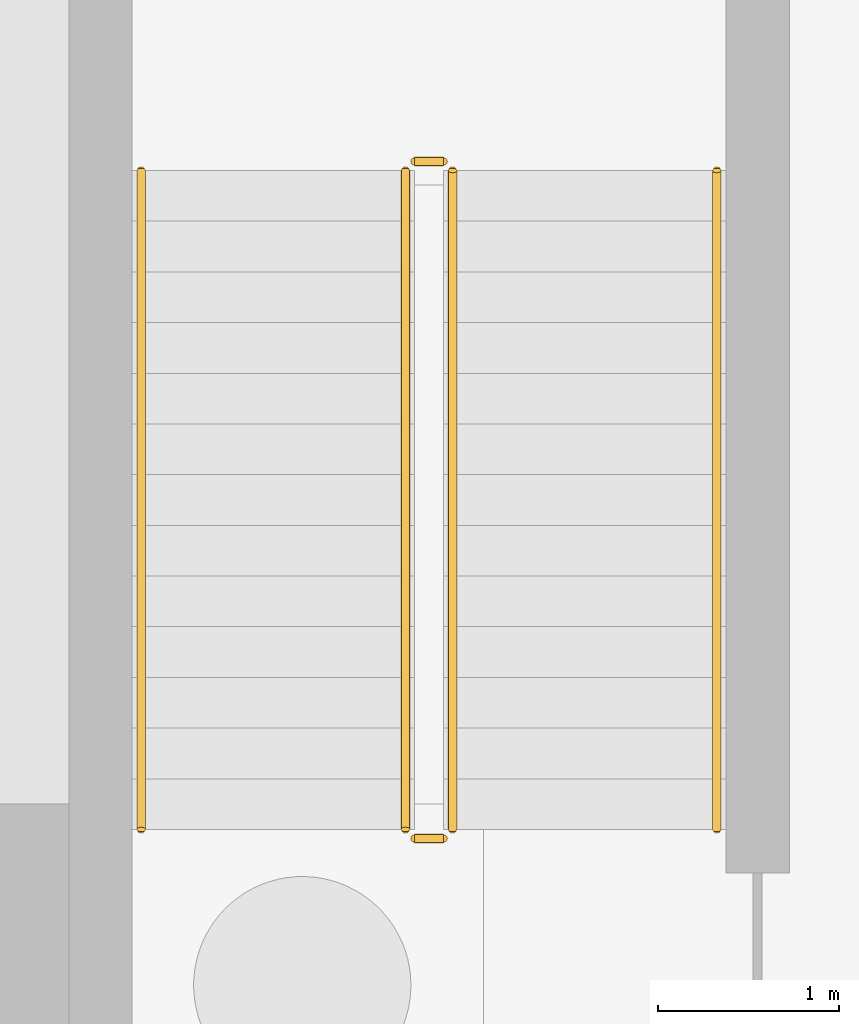
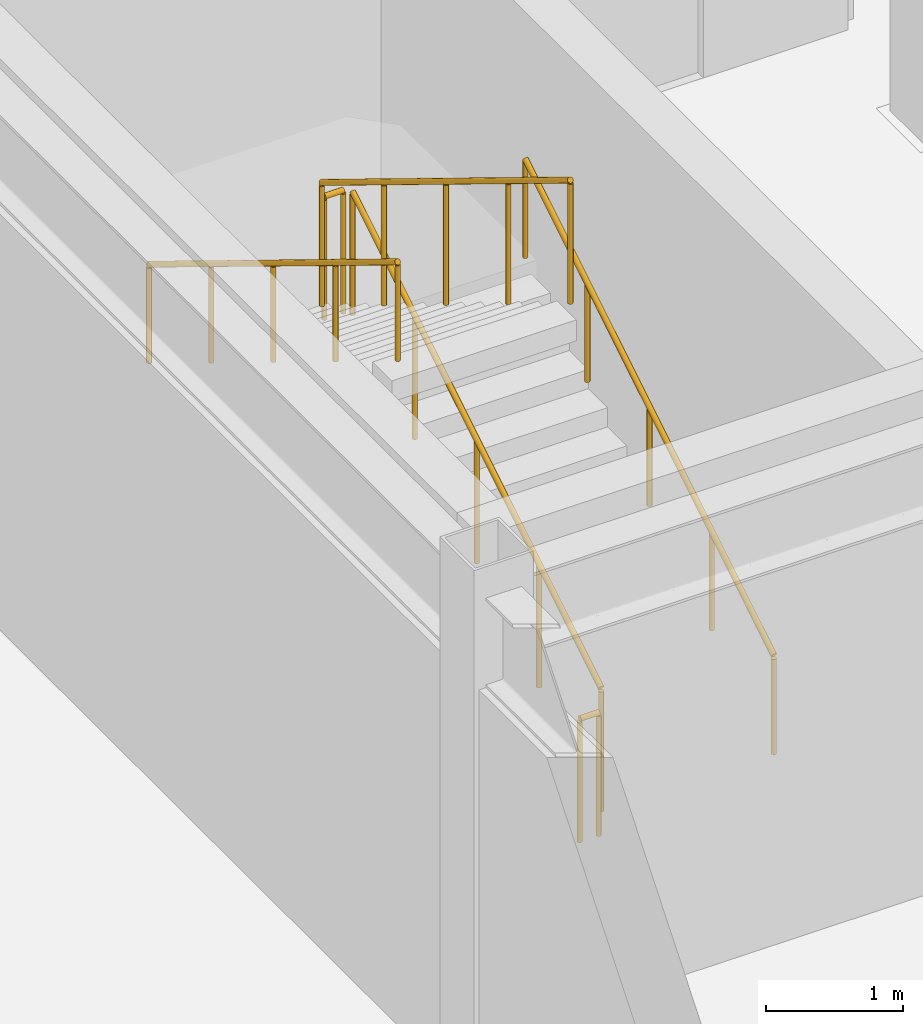
# One storey, part 69 of 74: 6 railings.
"""IFC4 building model written with IfcOpenShell, lengths in metres."""

import ifcopenshell
import ifcopenshell.guid

model = None  # the IFC model being written
_history = None  # IfcOwnerHistory: only IFC2X3 demands one
_inside = {}  # id of a spatial element -> (the spatial element, [elements in it])
_under = {}  # id of a project, library or spatial element -> (it, [spatial elements below it])
_declared = {}  # id of a project -> (the project, [libraries it declares])
_typed = {}  # id of a type object -> (the type object, [elements of that type])
_made_of = {}  # id of a material, layer set ... -> (it, [elements and type objects made of it])


def new_model(schema):
    """Start an empty IFC model of exactly this schema.

    Asked for "IFC4X3", IfcOpenShell would pick the latest addendum, in which some entities
    have other attributes; the version numbers below select the first issue.
    IFC2X3 requires an IfcOwnerHistory on every rooted entity: one is made here for all.
    """
    global model, _history
    if schema == "IFC4X3":
        model = ifcopenshell.file(schema_version=(4, 3, 0, 0))
    else:
        model = ifcopenshell.file(schema=schema)
    _inside.clear()
    _under.clear()
    _declared.clear()
    _typed.clear()
    _made_of.clear()
    _history = None
    if model.schema == "IFC2X3":
        org = make("IfcOrganization", Name="unknown")
        user = make(
            "IfcPersonAndOrganization",
            ThePerson=make("IfcPerson", FamilyName="unknown"),
            TheOrganization=org,
        )
        app = make(
            "IfcApplication",
            ApplicationDeveloper=org,
            Version="unknown",
            ApplicationFullName="unknown",
            ApplicationIdentifier="unknown",
        )
        _history = make(
            "IfcOwnerHistory",
            OwningUser=user,
            OwningApplication=app,
            ChangeAction="ADDED",
            CreationDate=0,
        )
    return model


def make(cls, **values):
    """One entity of the class cls with the attributes given. An attribute that is None is left unset."""
    return model.create_entity(
        cls, **{name: value for name, value in values.items() if value is not None}
    )


def rooted(cls, **values):
    """An entity with a GlobalId (a new one), such as an element, a storey or a relation."""
    return make(cls, GlobalId=ifcopenshell.guid.new(), OwnerHistory=_history, **values)


def si_unit(unit_type, name, prefix=None):
    """IfcSIUnit, for example si_unit("LENGTHUNIT", "METRE", prefix="MILLI")."""
    return make("IfcSIUnit", UnitType=unit_type, Prefix=prefix, Name=name)


def assignment(units):
    """IfcUnitAssignment: the units of a project."""
    return None if units is None else make("IfcUnitAssignment", Units=units)


def point(xyz):
    """IfcCartesianPoint."""
    return None if xyz is None else make("IfcCartesianPoint", Coordinates=xyz)


def direction(xyz):
    """IfcDirection."""
    return None if xyz is None else make("IfcDirection", DirectionRatios=xyz)


def frame(location, z_axis=None, x_axis=None):
    """IfcAxis2Placement3D, a coordinate frame: its origin and axes. An axis left out is left unset."""
    return make(
        "IfcAxis2Placement3D",
        Location=point(location),
        Axis=direction(z_axis),
        RefDirection=direction(x_axis),
    )


def frame_2d(location, x_axis=None):
    """IfcAxis2Placement2D, a coordinate frame in the plane: its origin and x axis."""
    return make(
        "IfcAxis2Placement2D", Location=point(location), RefDirection=direction(x_axis)
    )


def origin():
    """The frame at (0, 0, 0) with its axes left unset."""
    return frame((0.0, 0.0, 0.0))


def origin_2d():
    """The frame at (0, 0) in the plane with its x axis left unset."""
    return frame_2d((0.0, 0.0))


def place(relative_to, where):
    """IfcLocalPlacement: puts the frame where relative to a parent placement (None: the world)."""
    return make(
        "IfcLocalPlacement", PlacementRelTo=relative_to, RelativePlacement=where
    )


def context(
    kind, dimensions, precision=None, world=None, true_north=None, identifier=None
):
    """IfcGeometricRepresentationContext, for example the 3D "Model" context."""
    return make(
        "IfcGeometricRepresentationContext",
        ContextIdentifier=identifier,
        ContextType=kind,
        CoordinateSpaceDimension=dimensions,
        Precision=precision,
        WorldCoordinateSystem=world,
        TrueNorth=true_north,
    )


def subcontext(parent, identifier, kind, view, scale=None):
    """IfcGeometricRepresentationSubContext, for example "Body" below "Model"."""
    return make(
        "IfcGeometricRepresentationSubContext",
        ContextIdentifier=identifier,
        ContextType=kind,
        ParentContext=parent,
        TargetScale=scale,
        TargetView=view,
    )


def project(units=None, contexts=None):
    """IfcProject with its units and contexts."""
    return rooted(
        "IfcProject",
        Name="project",
        RepresentationContexts=contexts,
        UnitsInContext=assignment(units),
    )


def spatial(cls, under=None, at=None, **own):
    """A site, building, storey or space (cls), placed at a placement, below another one or the project."""
    s = rooted(cls, ObjectPlacement=at, **own)
    if under is not None:
        _under.setdefault(under.id(), (under, []))[1].append(s)
    return s


def profile(cls, at=None, kind="AREA", **sizes):
    """A parametric profile (cls). Its sizes go by their IFC names, for example OverallWidth=200.0."""
    return make(cls, ProfileType=kind, Position=at, **sizes)


def circle(**sizes):
    """IfcCircleProfileDef."""
    return profile("IfcCircleProfileDef", **sizes)


def extrude(swept, where, along, depth):
    """IfcExtrudedAreaSolid: the profile swept, set in the frame where, extruded along a direction by depth."""
    return make(
        "IfcExtrudedAreaSolid",
        SweptArea=swept,
        Position=where,
        ExtrudedDirection=direction(along),
        Depth=depth,
    )


def shape(context_of_items, identifier, shape_type, items):
    """IfcShapeRepresentation: the items that make up one representation, for example the "Body"."""
    return make(
        "IfcShapeRepresentation",
        ContextOfItems=context_of_items,
        RepresentationIdentifier=identifier,
        RepresentationType=shape_type,
        Items=items,
    )


def material(Name=None, Category=None):
    """IfcMaterial."""
    return make("IfcMaterial", Name=Name, Category=Category)


def made_of(thing, what):
    """Note that an element or type object is made of a material, layer set ...; save() writes the relation."""
    if what is not None:
        _made_of.setdefault(what.id(), (what, []))[1].append(thing)
    return thing


def type_object(cls, material=None, **own):
    """A type object (cls), such as IfcWallType, which elements share."""
    return made_of(rooted(cls, **own), material)


def element(
    cls,
    number,
    at=None,
    inside=None,
    cuts=None,
    type_object=None,
    material=None,
    context=None,
    identifier="Body",
    shape_type=None,
    held_by="IfcProductDefinitionShape",
    body=None,
    shapes=None,
    **own,
):
    """One element of the class cls, such as IfcWall. Its Tag is "e" and its number.

    at: its placement. inside: the storey or other place that contains it. cuts: it is an
    opening in that element (IfcRelVoidsElement). A single representation is given by context,
    identifier, shape_type and body (its items); several are given by shapes. held_by: the class
    of the entity that holds the representations. save() writes the other relations.
    """
    e = rooted(cls, Tag="e%d" % number, ObjectPlacement=at, **own)
    if body is not None:
        shapes = [shape(context, identifier, shape_type, body)]
    if shapes is not None:
        e.Representation = make(held_by, Representations=shapes)
    if inside is not None:
        _inside.setdefault(inside.id(), (inside, []))[1].append(e)
    if cuts is not None:
        rooted(
            "IfcRelVoidsElement", RelatingBuildingElement=cuts, RelatedOpeningElement=e
        )
    if type_object is not None:
        _typed.setdefault(type_object.id(), (type_object, []))[1].append(e)
    return made_of(e, material)


def aggregate(whole, parts):
    """IfcRelAggregates: a whole, such as a stair, and the parts it consists of."""
    return rooted("IfcRelAggregates", RelatingObject=whole, RelatedObjects=parts)


def save(model, path):
    """Write the relations noted so far, then the file.

    IfcRelAggregates (storeys below a building ...), IfcRelContainedInSpatialStructure (elements
    in a storey), IfcRelDefinesByType, IfcRelAssociatesMaterial and IfcRelDeclares: one each for
    every whole, place, type object, material and project.
    """
    for whole, parts in _under.values():
        aggregate(whole, parts)
    for where, things in _inside.values():
        rooted(
            "IfcRelContainedInSpatialStructure",
            RelatedElements=things,
            RelatingStructure=where,
        )
    for kind, things in _typed.values():
        rooted("IfcRelDefinesByType", RelatedObjects=things, RelatingType=kind)
    for what, things in _made_of.values():
        rooted("IfcRelAssociatesMaterial", RelatedObjects=things, RelatingMaterial=what)
    for by, libraries in _declared.values():
        rooted("IfcRelDeclares", RelatingContext=by, RelatedDefinitions=libraries)
    model.write(path)


model = new_model("IFC4")

# Units and contexts
model_context = context("Model", 3, precision=1e-05, world=origin(), true_north=direction((0.0, 1.0)))
body_context = subcontext(model_context, "Body", "Model", "MODEL_VIEW")
ifc_project = project(units=[si_unit("LENGTHUNIT", "METRE"), si_unit("AREAUNIT", "SQUARE_METRE"), si_unit("VOLUMEUNIT", "CUBIC_METRE"), si_unit("PLANEANGLEUNIT", "RADIAN"), si_unit("MASSUNIT", "GRAM", prefix="KILO")], contexts=[model_context])

# Site, building, storey
site_placement = place(None, origin())
site = spatial("IfcSite", under=ifc_project, at=site_placement, CompositionType="ELEMENT")
building_placement = place(site_placement, origin())
building = spatial("IfcBuilding", under=site, at=building_placement, Name="Suzunagisa Mobility Hub", CompositionType="ELEMENT")
storey_placement = place(building_placement, frame((0.0, 0.0, -4.800048828125)))
storey = spatial("IfcBuildingStorey", under=building, at=storey_placement, Name="B1", CompositionType="ELEMENT", Elevation=-4.800048828125)

# Railings
ifc_material = material(Name="Stainless Steel SUS304", Category="metal")
railing_type_1 = type_object("IfcRailingType", Name="Interior Well Guardrail IGR-01", PredefinedType="GUARDRAIL", material=ifc_material)
railing_1_placement = place(storey_placement, frame((146.330078125, 55.360107421875, 0.17138671875)))
element("IfcRailing", 1, at=railing_1_placement, inside=storey, type_object=railing_type_1, Name="B1 ST-11 stair guard 1", PredefinedType="GUARDRAIL", context=body_context, shape_type="SweptSolid", body=[
    extrude(circle(Radius=0.02392578125, at=origin_2d()), frame((0.0, 0.0, 1.09619140625), z_axis=(0.0, 0.852824790078, 0.522197163366), x_axis=(-1.0, 0.0, 0.0)), (0.0, 0.0, 1.0), 4.26806640625),
    extrude(circle(Radius=0.02099609375, at=origin_2d()), origin(), (0.0, 0.0, 1.0), 1.072021484375),
    extrude(circle(Radius=0.02099609375, at=origin_2d()), frame((0.0, 0.909912109375, 0.55712890625)), (0.0, 0.0, 1.0), 1.072021484375),
    extrude(circle(Radius=0.02099609375, at=origin_2d()), frame((0.0, 1.81982421875, 1.1142578125)), (0.0, 0.0, 1.0), 1.072021484375),
    extrude(circle(Radius=0.02099609375, at=origin_2d()), frame((0.0, 2.72998046875, 1.671630859375)), (0.0, 0.0, 1.0), 1.072021484375),
    extrude(circle(Radius=0.02099609375, at=origin_2d()), frame((0.0, 3.639892578125, 2.228759765625)), (0.0, 0.0, 1.0), 1.072021484375),
])
railing_2_placement = place(storey_placement, frame((146.280029296875, 59.050048828125, 2.400146484375)))
element("IfcRailing", 2, at=railing_2_placement, inside=storey, type_object=railing_type_1, Name="B1 ST-11 stair guard 2", PredefinedType="GUARDRAIL", context=body_context, shape_type="SweptSolid", body=[
    extrude(circle(Radius=0.02392578125, at=origin_2d()), frame((0.0, 0.0, 1.09619140625), z_axis=(-1.0, 0.0, 0.0), x_axis=(0.0, -1.0, 0.0)), (0.0, 0.0, 1.0), 0.159912109375),
    extrude(circle(Radius=0.02099609375, at=origin_2d()), origin(), (0.0, 0.0, 1.0), 1.072021484375),
    extrude(circle(Radius=0.02099609375, at=origin_2d()), frame((-0.159912109375, 0.0, 0.0)), (0.0, 0.0, 1.0), 1.072021484375),
])
railing_3_placement = place(storey_placement, frame((146.070068359375, 59.0, 2.571533203125)))
element("IfcRailing", 3, at=railing_3_placement, inside=storey, type_object=railing_type_1, Name="B1 ST-11 stair guard 3", PredefinedType="GUARDRAIL", context=body_context, shape_type="SweptSolid", body=[
    extrude(circle(Radius=0.02392578125, at=origin_2d()), frame((0.0, 0.0, 1.09619140625), z_axis=(0.0, -0.852850264322, 0.5221555579), x_axis=(1.0, 0.0, 0.0)), (0.0, 0.0, 1.0), 4.267822265625),
    extrude(circle(Radius=0.02099609375, at=origin_2d()), origin(), (0.0, 0.0, 1.0), 1.072021484375),
    extrude(circle(Radius=0.02099609375, at=origin_2d()), frame((0.0, -0.909912109375, 0.55712890625)), (0.0, 0.0, 1.0), 1.072021484375),
    extrude(circle(Radius=0.02099609375, at=origin_2d()), frame((0.0, -1.81982421875, 1.1142578125)), (0.0, 0.0, 1.0), 1.072021484375),
    extrude(circle(Radius=0.02099609375, at=origin_2d()), frame((0.0, -2.72998046875, 1.67138671875)), (0.0, 0.0, 1.0), 1.072021484375),
    extrude(circle(Radius=0.02099609375, at=origin_2d()), frame((0.0, -3.639892578125, 2.228515625)), (0.0, 0.0, 1.0), 1.072021484375),
])
railing_4_placement = place(storey_placement, frame((146.280029296875, 55.31005859375, 0.0)))
element("IfcRailing", 4, at=railing_4_placement, inside=storey, type_object=railing_type_1, Name="B1 ST-11 stair guard 4", PredefinedType="GUARDRAIL", context=body_context, shape_type="SweptSolid", body=[
    extrude(circle(Radius=0.02392578125, at=origin_2d()), frame((0.0, 0.0, 1.09619140625), z_axis=(-1.0, 0.0, 0.0), x_axis=(0.0, -1.0, 0.0)), (0.0, 0.0, 1.0), 0.159912109375),
    extrude(circle(Radius=0.02099609375, at=origin_2d()), origin(), (0.0, 0.0, 1.0), 1.072021484375),
    extrude(circle(Radius=0.02099609375, at=origin_2d()), frame((-0.159912109375, 0.0, 0.0)), (0.0, 0.0, 1.0), 1.072021484375),
])
railing_type_2 = type_object("IfcRailingType", Name="Tubular Stainless Stair Handrail IHR-01", PredefinedType="HANDRAIL", material=ifc_material)
railing_5_placement = place(storey_placement, frame((147.7900390625, 55.360107421875, 0.17138671875)))
element("IfcRailing", 5, at=railing_5_placement, inside=storey, type_object=railing_type_2, Name="B1 ST-11 stair handrail 1", PredefinedType="HANDRAIL", context=body_context, shape_type="SweptSolid", body=[
    extrude(circle(Radius=0.02392578125, at=origin_2d()), frame((0.0, 0.0, 0.8759765625), z_axis=(0.0, 0.852824790078, 0.522197163366), x_axis=(-1.0, 0.0, 0.0)), (0.0, 0.0, 1.0), 4.26806640625),
    extrude(circle(Radius=0.02099609375, at=origin_2d()), origin(), (0.0, 0.0, 1.0), 0.851806640625),
    extrude(circle(Radius=0.02099609375, at=origin_2d()), frame((0.0, 0.909912109375, 0.55712890625)), (0.0, 0.0, 1.0), 0.851806640625),
    extrude(circle(Radius=0.02099609375, at=origin_2d()), frame((0.0, 1.81982421875, 1.1142578125)), (0.0, 0.0, 1.0), 0.851806640625),
    extrude(circle(Radius=0.02099609375, at=origin_2d()), frame((0.0, 2.72998046875, 1.671630859375)), (0.0, 0.0, 1.0), 0.851806640625),
    extrude(circle(Radius=0.02099609375, at=origin_2d()), frame((0.0, 3.639892578125, 2.228759765625)), (0.0, 0.0, 1.0), 0.851806640625),
])
railing_6_placement = place(storey_placement, frame((144.610107421875, 59.0, 2.571533203125)))
element("IfcRailing", 6, at=railing_6_placement, inside=storey, type_object=railing_type_2, Name="B1 ST-11 stair handrail 2", PredefinedType="HANDRAIL", context=body_context, shape_type="SweptSolid", body=[
    extrude(circle(Radius=0.02392578125, at=origin_2d()), frame((0.0, 0.0, 0.8759765625), z_axis=(0.0, -0.852850264322, 0.5221555579), x_axis=(1.0, 0.0, 0.0)), (0.0, 0.0, 1.0), 4.267822265625),
    extrude(circle(Radius=0.02099609375, at=origin_2d()), origin(), (0.0, 0.0, 1.0), 0.851806640625),
    extrude(circle(Radius=0.02099609375, at=origin_2d()), frame((0.0, -0.909912109375, 0.55712890625)), (0.0, 0.0, 1.0), 0.851806640625),
    extrude(circle(Radius=0.02099609375, at=origin_2d()), frame((0.0, -1.81982421875, 1.1142578125)), (0.0, 0.0, 1.0), 0.851806640625),
    extrude(circle(Radius=0.02099609375, at=origin_2d()), frame((0.0, -2.72998046875, 1.67138671875)), (0.0, 0.0, 1.0), 0.851806640625),
    extrude(circle(Radius=0.02099609375, at=origin_2d()), frame((0.0, -3.639892578125, 2.228515625)), (0.0, 0.0, 1.0), 0.851806640625),
])

save(model, "model.ifc")
